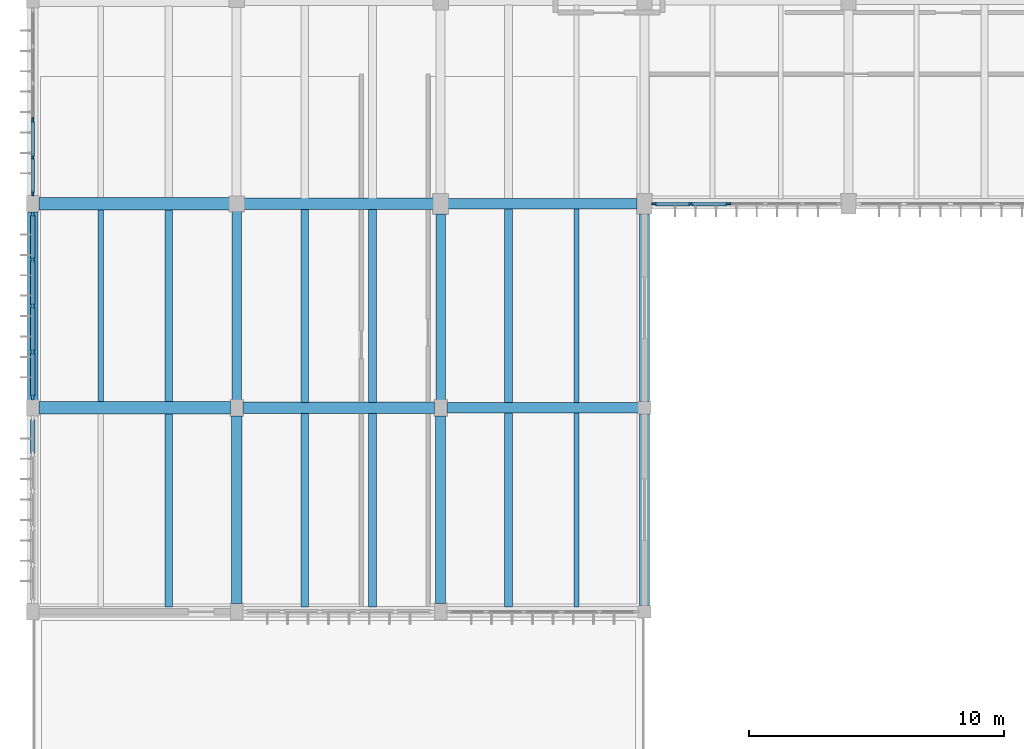
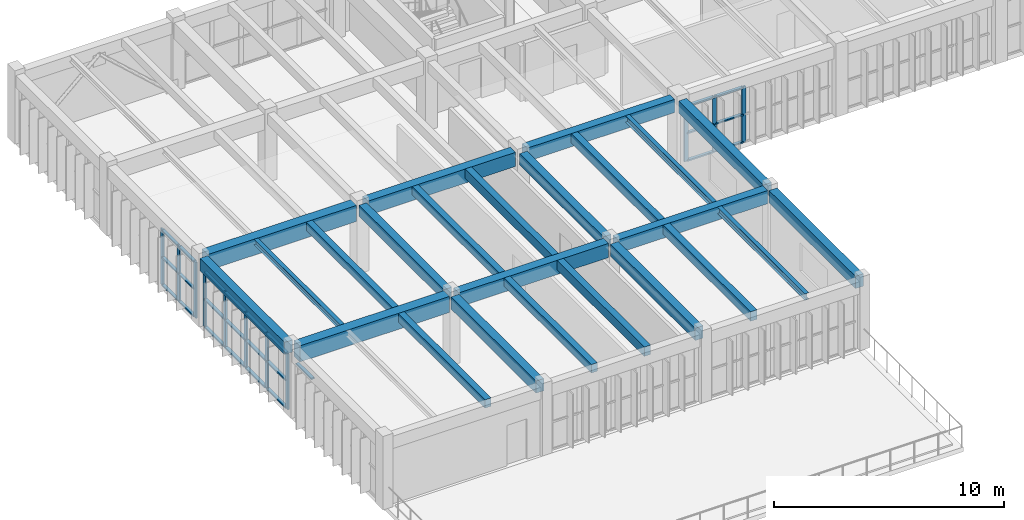
# One storey, part 3 of 31: 36 members, 24 beams, 4 elements without a shape of their own.
"""IFC4 building model written with IfcOpenShell, lengths in metres."""

from ifc_helpers import new_model, si_unit, direction, frame, origin, origin_2d, place, context, subcontext, project, spatial, rectangle, i_section, extrude, material, material_profile, profile_set, type_object, element, aggregate, save


model = new_model("IFC4")

# Units and contexts
model_context = context("Model", 3, precision=1e-05, world=origin(), true_north=direction((0.0, 1.0)))
body_context = subcontext(model_context, "Body", "Model", "MODEL_VIEW")
ifc_project = project(units=[si_unit("LENGTHUNIT", "METRE"), si_unit("AREAUNIT", "SQUARE_METRE"), si_unit("VOLUMEUNIT", "CUBIC_METRE"), si_unit("PLANEANGLEUNIT", "RADIAN"), si_unit("MASSUNIT", "GRAM", prefix="KILO")], contexts=[model_context])

# Site, building, storey
site_placement = place(None, origin())
site = spatial("IfcSite", under=ifc_project, at=site_placement, CompositionType="ELEMENT")
building_placement = place(site_placement, origin())
building = spatial("IfcBuilding", under=site, at=building_placement, Name="Tlaxcora Railside Police Headquarters", CompositionType="ELEMENT")
storey_placement = place(building_placement, frame((0.0, 0.0, 18.0)))
storey = spatial("IfcBuildingStorey", under=building, at=storey_placement, Name="L04", CompositionType="ELEMENT", Elevation=18.0)

# Curtain wall, members
ifc_material_1 = material(Name="Thermally broken low-E insulated glazing", Category="glass")
curtain_wall_type_1 = type_object("IfcCurtainWallType", Name="Unitised Curtain Wall Assembly CW-15", PredefinedType="NOTDEFINED", material=ifc_material_1)
curtain_wall_1_placement = place(storey_placement, origin())
curtain_wall_1 = element("IfcCurtainWall", 1, at=curtain_wall_1_placement, inside=storey, type_object=curtain_wall_type_1, Name="V5 L04 curtain wall 90", PredefinedType="NOTDEFINED")
ifc_material_2 = material(Name="Anodised aluminium framing", Category="aluminium")
ifc_material_profile_1 = material_profile(ifc_material_2, rectangle(XDim=0.074951171875, YDim=0.199951171875, at=origin_2d()), Name="AL75X200")
ifc_profile_set_1 = profile_set([ifc_material_profile_1], Name="Anodised aluminium framing")
member_type_1 = type_object("IfcMemberType", Name="Curtain Wall Mullion CW-58", PredefinedType="MULLION", material=ifc_profile_set_1)
member_1_placement = place(storey_placement, frame((29.58740234375, 76.800048828125, 0.0), z_axis=(0.0, 0.0, 1.0), x_axis=(0.0, 1.0, 0.0)))
member_1 = element("IfcMember", 2, at=member_1_placement, type_object=member_type_1, Name="CW mullion 1", PredefinedType="MULLION", context=body_context, shape_type="SweptSolid", body=[
    extrude(rectangle(XDim=0.074951171875, YDim=0.199951171875, at=origin_2d()), origin(), (0.0, 0.0, 1.0), 2.969970703125),
])
member_2_placement = place(storey_placement, frame((31.010009765625, 76.800048828125, 0.0), z_axis=(0.0, 0.0, 1.0), x_axis=(0.0, 1.0, 0.0)))
member_2 = element("IfcMember", 3, at=member_2_placement, type_object=member_type_1, Name="CW mullion 2", PredefinedType="MULLION", context=body_context, shape_type="SweptSolid", body=[
    extrude(rectangle(XDim=0.074951171875, YDim=0.199951171875, at=origin_2d()), origin(), (0.0, 0.0, 1.0), 2.969970703125),
])
member_3_placement = place(storey_placement, frame((32.469970703125, 76.800048828125, 0.0), z_axis=(0.0, 0.0, 1.0), x_axis=(0.0, 1.0, 0.0)))
member_3 = element("IfcMember", 4, at=member_3_placement, type_object=member_type_1, Name="CW mullion 3", PredefinedType="MULLION", context=body_context, shape_type="SweptSolid", body=[
    extrude(rectangle(XDim=0.074951171875, YDim=0.199951171875, at=origin_2d()), origin(), (0.0, 0.0, 1.0), 2.969970703125),
])

curtain_wall_2_placement = place(storey_placement, origin())
curtain_wall_2 = element("IfcCurtainWall", 5, at=curtain_wall_2_placement, inside=storey, type_object=curtain_wall_type_1, Name="V5 L04 curtain wall 102", PredefinedType="NOTDEFINED")
member_4_placement = place(storey_placement, frame((5.199951171875, 80.074951171875, 0.0), z_axis=(0.0, 0.0, 1.0), x_axis=(1.0, 0.0, 0.0)))
member_4 = element("IfcMember", 6, at=member_4_placement, type_object=member_type_1, Name="CW mullion 4", PredefinedType="MULLION", context=body_context, shape_type="SweptSolid", body=[
    extrude(rectangle(XDim=0.074951171875, YDim=0.199951171875, at=origin_2d()), origin(), (0.0, 0.0, 1.0), 2.969970703125),
])
member_5_placement = place(storey_placement, frame((5.199951171875, 78.625, 0.0), z_axis=(0.0, 0.0, 1.0), x_axis=(1.0, 0.0, 0.0)))
member_5 = element("IfcMember", 7, at=member_5_placement, type_object=member_type_1, Name="CW mullion 5", PredefinedType="MULLION", context=body_context, shape_type="SweptSolid", body=[
    extrude(rectangle(XDim=0.074951171875, YDim=0.199951171875, at=origin_2d()), origin(), (0.0, 0.0, 1.0), 2.969970703125),
])
member_6_placement = place(storey_placement, frame((5.199951171875, 77.21240234375, 0.0), z_axis=(0.0, 0.0, 1.0), x_axis=(1.0, 0.0, 0.0)))
member_6 = element("IfcMember", 8, at=member_6_placement, type_object=member_type_1, Name="CW mullion 6", PredefinedType="MULLION", context=body_context, shape_type="SweptSolid", body=[
    extrude(rectangle(XDim=0.074951171875, YDim=0.199951171875, at=origin_2d()), origin(), (0.0, 0.0, 1.0), 2.969970703125),
])

curtain_wall_type_2 = type_object("IfcCurtainWallType", Name="Unitised Curtain Wall Assembly CW-83", PredefinedType="NOTDEFINED", material=ifc_material_1)
curtain_wall_3_placement = place(storey_placement, origin())
curtain_wall_3 = element("IfcCurtainWall", 9, at=curtain_wall_3_placement, inside=storey, type_object=curtain_wall_type_2, Name="V5 L04 curtain wall 103", PredefinedType="NOTDEFINED")
ifc_material_profile_2 = material_profile(ifc_material_2, rectangle(XDim=0.080078125, YDim=0.2099609375, at=origin_2d()), Name="AL80X210")
ifc_profile_set_2 = profile_set([ifc_material_profile_2], Name="Anodised aluminium framing")
member_type_2 = type_object("IfcMemberType", Name="Curtain Wall Mullion CW-76", PredefinedType="MULLION", material=ifc_profile_set_2)
member_7_placement = place(storey_placement, frame((5.199951171875, 76.385009765625, 0.0), z_axis=(0.0, 0.0, 1.0), x_axis=(1.0, 0.0, 0.0)))
member_7 = element("IfcMember", 10, at=member_7_placement, type_object=member_type_2, Name="CW mullion 1", PredefinedType="MULLION", context=body_context, shape_type="SweptSolid", body=[
    extrude(rectangle(XDim=0.080078125, YDim=0.2099609375, at=origin_2d()), origin(), (0.0, 0.0, 1.0), 2.969970703125),
])
member_8_placement = place(storey_placement, frame((5.199951171875, 74.612548828125, 0.0), z_axis=(0.0, 0.0, 1.0), x_axis=(1.0, 0.0, 0.0)))
member_8 = element("IfcMember", 11, at=member_8_placement, type_object=member_type_2, Name="CW mullion 2", PredefinedType="MULLION", context=body_context, shape_type="SweptSolid", body=[
    extrude(rectangle(XDim=0.080078125, YDim=0.2099609375, at=origin_2d()), origin(), (0.0, 0.0, 1.0), 2.969970703125),
])
member_9_placement = place(storey_placement, frame((5.199951171875, 72.800048828125, 0.0), z_axis=(0.0, 0.0, 1.0), x_axis=(1.0, 0.0, 0.0)))
member_9 = element("IfcMember", 12, at=member_9_placement, type_object=member_type_2, Name="CW mullion 3", PredefinedType="MULLION", context=body_context, shape_type="SweptSolid", body=[
    extrude(rectangle(XDim=0.080078125, YDim=0.2099609375, at=origin_2d()), origin(), (0.0, 0.0, 1.0), 2.969970703125),
])
member_10_placement = place(storey_placement, frame((5.199951171875, 70.987548828125, 0.0), z_axis=(0.0, 0.0, 1.0), x_axis=(1.0, 0.0, 0.0)))
member_10 = element("IfcMember", 13, at=member_10_placement, type_object=member_type_2, Name="CW mullion 4", PredefinedType="MULLION", context=body_context, shape_type="SweptSolid", body=[
    extrude(rectangle(XDim=0.080078125, YDim=0.2099609375, at=origin_2d()), origin(), (0.0, 0.0, 1.0), 2.969970703125),
])
member_11_placement = place(storey_placement, frame((5.199951171875, 69.215087890625, 0.0), z_axis=(0.0, 0.0, 1.0), x_axis=(1.0, 0.0, 0.0)))
member_11 = element("IfcMember", 14, at=member_11_placement, type_object=member_type_2, Name="CW mullion 5", PredefinedType="MULLION", context=body_context, shape_type="SweptSolid", body=[
    extrude(rectangle(XDim=0.080078125, YDim=0.2099609375, at=origin_2d()), origin(), (0.0, 0.0, 1.0), 2.969970703125),
])

# Member
ifc_material_profile_3 = material_profile(ifc_material_2, rectangle(XDim=0.14990234375, YDim=0.074951171875, at=origin_2d()), Name="AL75X150")
ifc_profile_set_3 = profile_set([ifc_material_profile_3], Name="Anodised aluminium framing")
member_type_3 = type_object("IfcMemberType", Name="Curtain Wall Transom CW-28", PredefinedType="USERDEFINED", material=ifc_profile_set_3)
member_12_placement = place(storey_placement, frame((29.625, 76.800048828125, 0.03759765625), z_axis=(1.0, 0.0, 0.0), x_axis=(0.0, 1.0, 0.0)))
member_12 = element("IfcMember", 15, at=member_12_placement, type_object=member_type_3, Name="CW transom 1.1", ObjectType="TRANSOM", PredefinedType="USERDEFINED", context=body_context, shape_type="SweptSolid", body=[
    extrude(rectangle(XDim=0.14990234375, YDim=0.074951171875, at=origin_2d()), origin(), (0.0, 0.0, 1.0), 1.347412109375),
])

member_13_placement = place(storey_placement, frame((29.625, 76.800048828125, 1.4951171875), z_axis=(1.0, 0.0, 0.0), x_axis=(0.0, 1.0, 0.0)))
member_13 = element("IfcMember", 16, at=member_13_placement, type_object=member_type_3, Name="CW transom 1.2", ObjectType="TRANSOM", PredefinedType="USERDEFINED", context=body_context, shape_type="SweptSolid", body=[
    extrude(rectangle(XDim=0.14990234375, YDim=0.074951171875, at=origin_2d()), origin(), (0.0, 0.0, 1.0), 1.347412109375),
])

member_14_placement = place(storey_placement, frame((29.625, 76.800048828125, 2.9326171875), z_axis=(1.0, 0.0, 0.0), x_axis=(0.0, 1.0, 0.0)))
member_14 = element("IfcMember", 17, at=member_14_placement, type_object=member_type_3, Name="CW transom 1.3", ObjectType="TRANSOM", PredefinedType="USERDEFINED", context=body_context, shape_type="SweptSolid", body=[
    extrude(rectangle(XDim=0.14990234375, YDim=0.074951171875, at=origin_2d()), origin(), (0.0, 0.0, 1.0), 1.347412109375),
])

member_15_placement = place(storey_placement, frame((31.047607421875, 76.800048828125, 0.03759765625), z_axis=(1.0, 0.0, 0.0), x_axis=(0.0, 1.0, 0.0)))
member_15 = element("IfcMember", 18, at=member_15_placement, type_object=member_type_3, Name="CW transom 2.1", ObjectType="TRANSOM", PredefinedType="USERDEFINED", context=body_context, shape_type="SweptSolid", body=[
    extrude(rectangle(XDim=0.14990234375, YDim=0.074951171875, at=origin_2d()), origin(), (0.0, 0.0, 1.0), 1.385009765625),
])

member_16_placement = place(storey_placement, frame((31.047607421875, 76.800048828125, 1.4951171875), z_axis=(1.0, 0.0, 0.0), x_axis=(0.0, 1.0, 0.0)))
member_16 = element("IfcMember", 19, at=member_16_placement, type_object=member_type_3, Name="CW transom 2.2", ObjectType="TRANSOM", PredefinedType="USERDEFINED", context=body_context, shape_type="SweptSolid", body=[
    extrude(rectangle(XDim=0.14990234375, YDim=0.074951171875, at=origin_2d()), origin(), (0.0, 0.0, 1.0), 1.385009765625),
])

member_17_placement = place(storey_placement, frame((31.047607421875, 76.800048828125, 2.9326171875), z_axis=(1.0, 0.0, 0.0), x_axis=(0.0, 1.0, 0.0)))
member_17 = element("IfcMember", 20, at=member_17_placement, type_object=member_type_3, Name="CW transom 2.3", ObjectType="TRANSOM", PredefinedType="USERDEFINED", context=body_context, shape_type="SweptSolid", body=[
    extrude(rectangle(XDim=0.14990234375, YDim=0.074951171875, at=origin_2d()), origin(), (0.0, 0.0, 1.0), 1.385009765625),
])

aggregate(curtain_wall_1, [member_1, member_2, member_3, member_12, member_13, member_14, member_15, member_16, member_17])

member_18_placement = place(storey_placement, frame((5.199951171875, 80.03759765625, 0.03759765625), z_axis=(0.0, -1.0, 0.0), x_axis=(1.0, 0.0, 0.0)))
member_18 = element("IfcMember", 21, at=member_18_placement, type_object=member_type_3, Name="CW transom 4.1", ObjectType="TRANSOM", PredefinedType="USERDEFINED", context=body_context, shape_type="SweptSolid", body=[
    extrude(rectangle(XDim=0.14990234375, YDim=0.074951171875, at=origin_2d()), origin(), (0.0, 0.0, 1.0), 1.375),
])

member_19_placement = place(storey_placement, frame((5.199951171875, 80.03759765625, 1.4951171875), z_axis=(0.0, -1.0, 0.0), x_axis=(1.0, 0.0, 0.0)))
member_19 = element("IfcMember", 22, at=member_19_placement, type_object=member_type_3, Name="CW transom 4.2", ObjectType="TRANSOM", PredefinedType="USERDEFINED", context=body_context, shape_type="SweptSolid", body=[
    extrude(rectangle(XDim=0.14990234375, YDim=0.074951171875, at=origin_2d()), origin(), (0.0, 0.0, 1.0), 1.375),
])

member_20_placement = place(storey_placement, frame((5.199951171875, 80.03759765625, 2.9326171875), z_axis=(0.0, -1.0, 0.0), x_axis=(1.0, 0.0, 0.0)))
member_20 = element("IfcMember", 23, at=member_20_placement, type_object=member_type_3, Name="CW transom 4.3", ObjectType="TRANSOM", PredefinedType="USERDEFINED", context=body_context, shape_type="SweptSolid", body=[
    extrude(rectangle(XDim=0.14990234375, YDim=0.074951171875, at=origin_2d()), origin(), (0.0, 0.0, 1.0), 1.375),
])

member_21_placement = place(storey_placement, frame((5.199951171875, 78.58740234375, 0.03759765625), z_axis=(0.0, -1.0, 0.0), x_axis=(1.0, 0.0, 0.0)))
member_21 = element("IfcMember", 24, at=member_21_placement, type_object=member_type_3, Name="CW transom 5.1", ObjectType="TRANSOM", PredefinedType="USERDEFINED", context=body_context, shape_type="SweptSolid", body=[
    extrude(rectangle(XDim=0.14990234375, YDim=0.074951171875, at=origin_2d()), origin(), (0.0, 0.0, 1.0), 1.33740234375),
])

member_22_placement = place(storey_placement, frame((5.199951171875, 78.58740234375, 1.4951171875), z_axis=(0.0, -1.0, 0.0), x_axis=(1.0, 0.0, 0.0)))
member_22 = element("IfcMember", 25, at=member_22_placement, type_object=member_type_3, Name="CW transom 5.2", ObjectType="TRANSOM", PredefinedType="USERDEFINED", context=body_context, shape_type="SweptSolid", body=[
    extrude(rectangle(XDim=0.14990234375, YDim=0.074951171875, at=origin_2d()), origin(), (0.0, 0.0, 1.0), 1.33740234375),
])

member_23_placement = place(storey_placement, frame((5.199951171875, 78.58740234375, 2.9326171875), z_axis=(0.0, -1.0, 0.0), x_axis=(1.0, 0.0, 0.0)))
member_23 = element("IfcMember", 26, at=member_23_placement, type_object=member_type_3, Name="CW transom 5.3", ObjectType="TRANSOM", PredefinedType="USERDEFINED", context=body_context, shape_type="SweptSolid", body=[
    extrude(rectangle(XDim=0.14990234375, YDim=0.074951171875, at=origin_2d()), origin(), (0.0, 0.0, 1.0), 1.33740234375),
])

aggregate(curtain_wall_2, [member_4, member_5, member_6, member_18, member_19, member_20, member_21, member_22, member_23])

# Curtain wall, member
curtain_wall_type_3 = type_object("IfcCurtainWallType", Name="Unitised Curtain Wall Assembly CW-23", PredefinedType="NOTDEFINED", material=ifc_material_1)
curtain_wall_4_placement = place(storey_placement, origin())
curtain_wall_4 = element("IfcCurtainWall", 27, at=curtain_wall_4_placement, inside=storey, type_object=curtain_wall_type_3, Name="V5 L04 curtain wall 104", PredefinedType="NOTDEFINED")
ifc_material_profile_4 = material_profile(ifc_material_2, rectangle(XDim=0.1650390625, YDim=0.080078125, at=origin_2d()), Name="AL80X165")
ifc_profile_set_4 = profile_set([ifc_material_profile_4], Name="Anodised aluminium framing")
member_type_4 = type_object("IfcMemberType", Name="Curtain Wall Transom CW-62", PredefinedType="USERDEFINED", material=ifc_profile_set_4)
member_24_placement = place(storey_placement, frame((5.199951171875, 68.344970703125, 2.929931640625), z_axis=(0.0, -1.0, 0.0), x_axis=(1.0, 0.0, 0.0)))
member_24 = element("IfcMember", 28, at=member_24_placement, type_object=member_type_4, Name="CW transom 1.3", ObjectType="TRANSOM", PredefinedType="USERDEFINED", context=body_context, shape_type="SweptSolid", body=[
    extrude(rectangle(XDim=0.1650390625, YDim=0.080078125, at=origin_2d()), origin(), (0.0, 0.0, 1.0), 1.330078125),
])
aggregate(curtain_wall_4, [member_24])

# Member
ifc_material_profile_5 = material_profile(ifc_material_2, rectangle(XDim=0.159912109375, YDim=0.080078125, at=origin_2d()), Name="AL80X160")
ifc_profile_set_5 = profile_set([ifc_material_profile_5], Name="Anodised aluminium framing")
member_type_5 = type_object("IfcMemberType", Name="Curtain Wall Transom CW-82", PredefinedType="USERDEFINED", material=ifc_profile_set_5)
member_25_placement = place(storey_placement, frame((5.199951171875, 76.344970703125, 0.0400390625), z_axis=(0.0, -1.0, 0.0), x_axis=(1.0, 0.0, 0.0)))
member_25 = element("IfcMember", 29, at=member_25_placement, type_object=member_type_5, Name="CW transom 1.1", ObjectType="TRANSOM", PredefinedType="USERDEFINED", context=body_context, shape_type="SweptSolid", body=[
    extrude(rectangle(XDim=0.159912109375, YDim=0.080078125, at=origin_2d()), origin(), (0.0, 0.0, 1.0), 1.6923828125),
])

member_26_placement = place(storey_placement, frame((5.199951171875, 76.344970703125, 1.4951171875), z_axis=(0.0, -1.0, 0.0), x_axis=(1.0, 0.0, 0.0)))
member_26 = element("IfcMember", 30, at=member_26_placement, type_object=member_type_5, Name="CW transom 1.2", ObjectType="TRANSOM", PredefinedType="USERDEFINED", context=body_context, shape_type="SweptSolid", body=[
    extrude(rectangle(XDim=0.159912109375, YDim=0.080078125, at=origin_2d()), origin(), (0.0, 0.0, 1.0), 1.6923828125),
])

member_27_placement = place(storey_placement, frame((5.199951171875, 76.344970703125, 2.929931640625), z_axis=(0.0, -1.0, 0.0), x_axis=(1.0, 0.0, 0.0)))
member_27 = element("IfcMember", 31, at=member_27_placement, type_object=member_type_5, Name="CW transom 1.3", ObjectType="TRANSOM", PredefinedType="USERDEFINED", context=body_context, shape_type="SweptSolid", body=[
    extrude(rectangle(XDim=0.159912109375, YDim=0.080078125, at=origin_2d()), origin(), (0.0, 0.0, 1.0), 1.6923828125),
])

member_28_placement = place(storey_placement, frame((5.199951171875, 74.572509765625, 0.0400390625), z_axis=(0.0, -1.0, 0.0), x_axis=(1.0, 0.0, 0.0)))
member_28 = element("IfcMember", 32, at=member_28_placement, type_object=member_type_5, Name="CW transom 2.1", ObjectType="TRANSOM", PredefinedType="USERDEFINED", context=body_context, shape_type="SweptSolid", body=[
    extrude(rectangle(XDim=0.159912109375, YDim=0.080078125, at=origin_2d()), origin(), (0.0, 0.0, 1.0), 1.732421875),
])

member_29_placement = place(storey_placement, frame((5.199951171875, 74.572509765625, 1.4951171875), z_axis=(0.0, -1.0, 0.0), x_axis=(1.0, 0.0, 0.0)))
member_29 = element("IfcMember", 33, at=member_29_placement, type_object=member_type_5, Name="CW transom 2.2", ObjectType="TRANSOM", PredefinedType="USERDEFINED", context=body_context, shape_type="SweptSolid", body=[
    extrude(rectangle(XDim=0.159912109375, YDim=0.080078125, at=origin_2d()), origin(), (0.0, 0.0, 1.0), 1.732421875),
])

member_30_placement = place(storey_placement, frame((5.199951171875, 74.572509765625, 2.929931640625), z_axis=(0.0, -1.0, 0.0), x_axis=(1.0, 0.0, 0.0)))
member_30 = element("IfcMember", 34, at=member_30_placement, type_object=member_type_5, Name="CW transom 2.3", ObjectType="TRANSOM", PredefinedType="USERDEFINED", context=body_context, shape_type="SweptSolid", body=[
    extrude(rectangle(XDim=0.159912109375, YDim=0.080078125, at=origin_2d()), origin(), (0.0, 0.0, 1.0), 1.732421875),
])

member_31_placement = place(storey_placement, frame((5.199951171875, 72.760009765625, 0.0400390625), z_axis=(0.0, -1.0, 0.0), x_axis=(1.0, 0.0, 0.0)))
member_31 = element("IfcMember", 35, at=member_31_placement, type_object=member_type_5, Name="CW transom 3.1", ObjectType="TRANSOM", PredefinedType="USERDEFINED", context=body_context, shape_type="SweptSolid", body=[
    extrude(rectangle(XDim=0.159912109375, YDim=0.080078125, at=origin_2d()), origin(), (0.0, 0.0, 1.0), 1.732421875),
])

member_32_placement = place(storey_placement, frame((5.199951171875, 72.760009765625, 1.4951171875), z_axis=(0.0, -1.0, 0.0), x_axis=(1.0, 0.0, 0.0)))
member_32 = element("IfcMember", 36, at=member_32_placement, type_object=member_type_5, Name="CW transom 3.2", ObjectType="TRANSOM", PredefinedType="USERDEFINED", context=body_context, shape_type="SweptSolid", body=[
    extrude(rectangle(XDim=0.159912109375, YDim=0.080078125, at=origin_2d()), origin(), (0.0, 0.0, 1.0), 1.732421875),
])

member_33_placement = place(storey_placement, frame((5.199951171875, 72.760009765625, 2.929931640625), z_axis=(0.0, -1.0, 0.0), x_axis=(1.0, 0.0, 0.0)))
member_33 = element("IfcMember", 37, at=member_33_placement, type_object=member_type_5, Name="CW transom 3.3", ObjectType="TRANSOM", PredefinedType="USERDEFINED", context=body_context, shape_type="SweptSolid", body=[
    extrude(rectangle(XDim=0.159912109375, YDim=0.080078125, at=origin_2d()), origin(), (0.0, 0.0, 1.0), 1.732421875),
])

member_34_placement = place(storey_placement, frame((5.199951171875, 70.947509765625, 0.0400390625), z_axis=(0.0, -1.0, 0.0), x_axis=(1.0, 0.0, 0.0)))
member_34 = element("IfcMember", 38, at=member_34_placement, type_object=member_type_5, Name="CW transom 4.1", ObjectType="TRANSOM", PredefinedType="USERDEFINED", context=body_context, shape_type="SweptSolid", body=[
    extrude(rectangle(XDim=0.159912109375, YDim=0.080078125, at=origin_2d()), origin(), (0.0, 0.0, 1.0), 1.692626953125),
])

member_35_placement = place(storey_placement, frame((5.199951171875, 70.947509765625, 1.4951171875), z_axis=(0.0, -1.0, 0.0), x_axis=(1.0, 0.0, 0.0)))
member_35 = element("IfcMember", 39, at=member_35_placement, type_object=member_type_5, Name="CW transom 4.2", ObjectType="TRANSOM", PredefinedType="USERDEFINED", context=body_context, shape_type="SweptSolid", body=[
    extrude(rectangle(XDim=0.159912109375, YDim=0.080078125, at=origin_2d()), origin(), (0.0, 0.0, 1.0), 1.692626953125),
])

member_36_placement = place(storey_placement, frame((5.199951171875, 70.947509765625, 2.929931640625), z_axis=(0.0, -1.0, 0.0), x_axis=(1.0, 0.0, 0.0)))
member_36 = element("IfcMember", 40, at=member_36_placement, type_object=member_type_5, Name="CW transom 4.3", ObjectType="TRANSOM", PredefinedType="USERDEFINED", context=body_context, shape_type="SweptSolid", body=[
    extrude(rectangle(XDim=0.159912109375, YDim=0.080078125, at=origin_2d()), origin(), (0.0, 0.0, 1.0), 1.692626953125),
])

aggregate(curtain_wall_3, [member_7, member_8, member_9, member_10, member_11, member_25, member_26, member_27, member_28, member_29, member_30, member_31, member_32, member_33, member_34, member_35, member_36])

# Beams
ifc_material_3 = material(Name="Concrete C40/50", Category="concrete")
ifc_material_profile_6 = material_profile(ifc_material_3, rectangle(XDim=0.39990234375, YDim=0.64990234375, at=origin_2d()), Name="RC400X650")
ifc_profile_set_6 = profile_set([ifc_material_profile_6], Name="Concrete C40/50")
beam_type_1 = type_object("IfcBeamType", Name="Perimeter Spandrel Beam BM-46", PredefinedType="SPANDREL", material=ifc_profile_set_6)
beam_1_placement = place(storey_placement, frame((5.199951171875, 69.114990234375, 3.31494140625), z_axis=(0.0, 1.0, 0.0), x_axis=(-1.0, 0.0, 0.0)))
element("IfcBeam", 41, at=beam_1_placement, inside=storey, type_object=beam_type_1, Name="V5 L04 Y-girder X=5.2", PredefinedType="SPANDREL", context=body_context, shape_type="SweptSolid", body=[
    extrude(rectangle(XDim=0.39990234375, YDim=0.64990234375, at=origin_2d()), origin(), (0.0, 0.0, 1.0), 7.3701171875),
])
beam_2_placement = place(storey_placement, frame((29.199951171875, 61.0400390625, 3.31494140625), z_axis=(0.0, 1.0, 0.0), x_axis=(-1.0, 0.0, 0.0)))
element("IfcBeam", 42, at=beam_2_placement, inside=storey, type_object=beam_type_1, Name="V5 L04 Y-girder X=29.2", PredefinedType="SPANDREL", context=body_context, shape_type="SweptSolid", body=[
    extrude(rectangle(XDim=0.39990234375, YDim=0.64990234375, at=origin_2d()), origin(), (0.0, 0.0, 1.0), 7.52001953125),
])
beam_3_placement = place(storey_placement, frame((29.199951171875, 69.0400390625, 3.31494140625), z_axis=(0.0, 1.0, 0.0), x_axis=(-1.0, 0.0, 0.0)))
element("IfcBeam", 43, at=beam_3_placement, inside=storey, type_object=beam_type_1, Name="V5 L04 Y-girder X=29.2", PredefinedType="SPANDREL", context=body_context, shape_type="SweptSolid", body=[
    extrude(rectangle(XDim=0.39990234375, YDim=0.64990234375, at=origin_2d()), origin(), (0.0, 0.0, 1.0), 7.369873046875),
])
ifc_material_profile_7 = material_profile(ifc_material_3, rectangle(XDim=0.3798828125, YDim=0.60009765625, at=origin_2d()), Name="RC380X600")
ifc_profile_set_7 = profile_set([ifc_material_profile_7], Name="Concrete C40/50")
beam_type_2 = type_object("IfcBeamType", Name="Primary Frame Girder BM-22", PredefinedType="BEAM", material=ifc_profile_set_7)
beam_4_placement = place(storey_placement, frame((13.199951171875, 69.114990234375, 3.340087890625), z_axis=(0.0, 1.0, 0.0), x_axis=(-1.0, 0.0, 0.0)))
element("IfcBeam", 44, at=beam_4_placement, inside=storey, type_object=beam_type_2, Name="V5 L04 Y-girder X=13.2", PredefinedType="BEAM", context=body_context, shape_type="SweptSolid", body=[
    extrude(rectangle(XDim=0.3798828125, YDim=0.60009765625, at=origin_2d()), origin(), (0.0, 0.0, 1.0), 7.39501953125),
])
beam_5_placement = place(storey_placement, frame((21.199951171875, 69.114990234375, 3.340087890625), z_axis=(0.0, 1.0, 0.0), x_axis=(-1.0, 0.0, 0.0)))
element("IfcBeam", 45, at=beam_5_placement, inside=storey, type_object=beam_type_2, Name="V5 L04 Y-girder X=21.2", PredefinedType="BEAM", context=body_context, shape_type="SweptSolid", body=[
    extrude(rectangle(XDim=0.3798828125, YDim=0.60009765625, at=origin_2d()), origin(), (0.0, 0.0, 1.0), 7.294921875),
])
ifc_material_profile_8 = material_profile(ifc_material_3, rectangle(XDim=0.419921875, YDim=0.699951171875, at=origin_2d()), Name="RC420X700")
ifc_profile_set_8 = profile_set([ifc_material_profile_8], Name="Concrete C40/50")
beam_type_3 = type_object("IfcBeamType", Name="Primary Frame Girder BM-35", PredefinedType="BEAM", material=ifc_profile_set_8)
beam_6_placement = place(storey_placement, frame((21.43994140625, 68.800048828125, 3.2900390625), z_axis=(1.0, 0.0, 0.0), x_axis=(0.0, 1.0, 0.0)))
element("IfcBeam", 46, at=beam_6_placement, inside=storey, type_object=beam_type_3, Name="V5 L04 X-girder Y=68.8", PredefinedType="BEAM", context=body_context, shape_type="SweptSolid", body=[
    extrude(rectangle(XDim=0.419921875, YDim=0.699951171875, at=origin_2d()), origin(), (0.0, 0.0, 1.0), 7.52001953125),
])
beam_7_placement = place(storey_placement, frame((21.489990234375, 76.800048828125, 3.2900390625), z_axis=(1.0, 0.0, 0.0), x_axis=(0.0, 1.0, 0.0)))
element("IfcBeam", 47, at=beam_7_placement, inside=storey, type_object=beam_type_3, Name="V5 L04 X-girder Y=76.8", PredefinedType="BEAM", context=body_context, shape_type="SweptSolid", body=[
    extrude(rectangle(XDim=0.419921875, YDim=0.699951171875, at=origin_2d()), origin(), (0.0, 0.0, 1.0), 7.419921875),
])
ifc_material_profile_9 = material_profile(ifc_material_3, rectangle(XDim=0.39990234375, YDim=0.64990234375, at=origin_2d()), Name="RC400X650")
ifc_profile_set_9 = profile_set([ifc_material_profile_9], Name="Concrete C40/50")
beam_type_4 = type_object("IfcBeamType", Name="Primary Frame Girder BM-41", PredefinedType="BEAM", material=ifc_profile_set_9)
for number, where, z_axis, x_axis, name in (
    (48, (13.199951171875, 61.114990234375, 3.31494140625), (0.0, 1.0, 0.0), (-1.0, 0.0, 0.0), "V5 L04 Y-girder X=13.2"),
    (49, (21.199951171875, 61.114990234375, 3.31494140625), (0.0, 1.0, 0.0), (-1.0, 0.0, 0.0), "V5 L04 Y-girder X=21.2"),
):
    element("IfcBeam", number, at=place(storey_placement, frame(where, z_axis=z_axis, x_axis=x_axis)), inside=storey, type_object=beam_type_4, Name=name, PredefinedType="BEAM", context=body_context, shape_type="SweptSolid", body=[
        extrude(rectangle(XDim=0.39990234375, YDim=0.64990234375, at=origin_2d()), origin(), (0.0, 0.0, 1.0), 7.3701171875),
    ])
ifc_material_profile_10 = material_profile(ifc_material_3, rectangle(XDim=0.5, YDim=0.85009765625, at=origin_2d()), Name="RC500X850")
ifc_profile_set_10 = profile_set([ifc_material_profile_10], Name="Concrete C40/50")
beam_type_5 = type_object("IfcBeamType", Name="Primary Frame Girder BM-64", PredefinedType="BEAM", material=ifc_profile_set_10)
beam_8_placement = place(storey_placement, frame((5.43994140625, 68.800048828125, 3.215087890625), z_axis=(1.0, 0.0, 0.0), x_axis=(0.0, 1.0, 0.0)))
element("IfcBeam", 50, at=beam_8_placement, inside=storey, type_object=beam_type_5, Name="V5 L04 X-girder Y=68.8", PredefinedType="BEAM", context=body_context, shape_type="SweptSolid", body=[
    extrude(rectangle(XDim=0.5, YDim=0.85009765625, at=origin_2d()), origin(), (0.0, 0.0, 1.0), 7.52001953125),
])
beam_9_placement = place(storey_placement, frame((5.43994140625, 76.800048828125, 3.215087890625), z_axis=(1.0, 0.0, 0.0), x_axis=(0.0, 1.0, 0.0)))
element("IfcBeam", 51, at=beam_9_placement, inside=storey, type_object=beam_type_5, Name="V5 L04 X-girder Y=76.8", PredefinedType="BEAM", context=body_context, shape_type="SweptSolid", body=[
    extrude(rectangle(XDim=0.5, YDim=0.85009765625, at=origin_2d()), origin(), (0.0, 0.0, 1.0), 7.469970703125),
])
ifc_material_profile_11 = material_profile(ifc_material_3, rectangle(XDim=0.449951171875, YDim=0.75, at=origin_2d()), Name="RC450X750")
ifc_profile_set_11 = profile_set([ifc_material_profile_11], Name="Concrete C40/50")
beam_type_6 = type_object("IfcBeamType", Name="Primary Frame Girder BM-73", PredefinedType="BEAM", material=ifc_profile_set_11)
beam_10_placement = place(storey_placement, frame((13.43994140625, 68.800048828125, 3.264892578125), z_axis=(1.0, 0.0, 0.0), x_axis=(0.0, 1.0, 0.0)))
element("IfcBeam", 52, at=beam_10_placement, inside=storey, type_object=beam_type_6, Name="V5 L04 X-girder Y=68.8", PredefinedType="BEAM", context=body_context, shape_type="SweptSolid", body=[
    extrude(rectangle(XDim=0.449951171875, YDim=0.75, at=origin_2d()), origin(), (0.0, 0.0, 1.0), 7.52001953125),
])
beam_11_placement = place(storey_placement, frame((13.489990234375, 76.800048828125, 3.264892578125), z_axis=(1.0, 0.0, 0.0), x_axis=(0.0, 1.0, 0.0)))
element("IfcBeam", 53, at=beam_11_placement, inside=storey, type_object=beam_type_6, Name="V5 L04 X-girder Y=76.8", PredefinedType="BEAM", context=body_context, shape_type="SweptSolid", body=[
    extrude(rectangle(XDim=0.449951171875, YDim=0.75, at=origin_2d()), origin(), (0.0, 0.0, 1.0), 7.419921875),
])
ifc_material_4 = material(Name="Concrete C35/45", Category="concrete")
ifc_material_profile_12 = material_profile(ifc_material_4, rectangle(XDim=0.300048828125, YDim=0.449951171875, at=origin_2d()), Name="RC300X450")
ifc_profile_set_12 = profile_set([ifc_material_profile_12], Name="Concrete C35/45")
beam_type_7 = type_object("IfcBeamType", Name="Secondary Floor Joist BM-27", PredefinedType="JOIST", material=ifc_profile_set_12)
beam_12_placement = place(storey_placement, frame((10.533203125, 60.991943359375, 3.4150390625), z_axis=(0.0, 1.0, 0.0), x_axis=(-1.0, 0.0, 0.0)))
element("IfcBeam", 54, at=beam_12_placement, inside=storey, type_object=beam_type_7, Name="V5 L04 floor joist X=10.53", PredefinedType="JOIST", context=body_context, shape_type="SweptSolid", body=[
    extrude(rectangle(XDim=0.300048828125, YDim=0.449951171875, at=origin_2d()), origin(), (0.0, 0.0, 1.0), 7.566162109375),
])
beam_13_placement = place(storey_placement, frame((15.86669921875, 60.991943359375, 3.4150390625), z_axis=(0.0, 1.0, 0.0), x_axis=(-1.0, 0.0, 0.0)))
element("IfcBeam", 55, at=beam_13_placement, inside=storey, type_object=beam_type_7, Name="V5 L04 floor joist X=15.87", PredefinedType="JOIST", context=body_context, shape_type="SweptSolid", body=[
    extrude(rectangle(XDim=0.300048828125, YDim=0.449951171875, at=origin_2d()), origin(), (0.0, 0.0, 1.0), 7.591064453125),
])
beam_14_placement = place(storey_placement, frame((10.533203125, 69.0419921875, 3.4150390625), z_axis=(0.0, 1.0, 0.0), x_axis=(-1.0, 0.0, 0.0)))
element("IfcBeam", 56, at=beam_14_placement, inside=storey, type_object=beam_type_7, Name="V5 L04 floor joist X=10.53", PredefinedType="JOIST", context=body_context, shape_type="SweptSolid", body=[
    extrude(rectangle(XDim=0.300048828125, YDim=0.449951171875, at=origin_2d()), origin(), (0.0, 0.0, 1.0), 7.51611328125),
])
beam_15_placement = place(storey_placement, frame((15.86669921875, 69.01708984375, 3.4150390625), z_axis=(0.0, 1.0, 0.0), x_axis=(-1.0, 0.0, 0.0)))
element("IfcBeam", 57, at=beam_15_placement, inside=storey, type_object=beam_type_7, Name="V5 L04 floor joist X=15.87", PredefinedType="JOIST", context=body_context, shape_type="SweptSolid", body=[
    extrude(rectangle(XDim=0.300048828125, YDim=0.449951171875, at=origin_2d()), origin(), (0.0, 0.0, 1.0), 7.56591796875),
])
ifc_material_5 = material(Name="Steel ASTM A992 Grade 50", Category="steel")
ifc_material_profile_13 = material_profile(ifc_material_5, i_section(OverallWidth=0.2041015625, OverallDepth=0.35009765625, WebThickness=0.008544921875, FlangeThickness=0.01513671875, at=origin_2d()), Name="W14X48")
ifc_profile_set_13 = profile_set([ifc_material_profile_13], Name="Steel ASTM A992 Grade 50")
beam_type_8 = type_object("IfcBeamType", Name="Secondary Floor Joist BM-65", PredefinedType="JOIST", material=ifc_profile_set_13)
beam_16_placement = place(storey_placement, frame((26.533203125, 60.991943359375, 3.465087890625), z_axis=(0.0, 1.0, 0.0), x_axis=(-1.0, 0.0, 0.0)))
element("IfcBeam", 58, at=beam_16_placement, inside=storey, type_object=beam_type_8, Name="V5 L04 floor joist X=26.53", PredefinedType="JOIST", context=body_context, shape_type="SweptSolid", body=[
    extrude(i_section(OverallWidth=0.2041015625, OverallDepth=0.35009765625, WebThickness=0.008544921875, FlangeThickness=0.01513671875, at=origin_2d()), origin(), (0.0, 0.0, 1.0), 7.60595703125),
])
beam_17_placement = place(storey_placement, frame((26.533203125, 69.001953125, 3.465087890625), z_axis=(0.0, 1.0, 0.0), x_axis=(-1.0, 0.0, 0.0)))
element("IfcBeam", 59, at=beam_17_placement, inside=storey, type_object=beam_type_8, Name="V5 L04 floor joist X=26.53", PredefinedType="JOIST", context=body_context, shape_type="SweptSolid", body=[
    extrude(i_section(OverallWidth=0.2041015625, OverallDepth=0.35009765625, WebThickness=0.008544921875, FlangeThickness=0.01513671875, at=origin_2d()), origin(), (0.0, 0.0, 1.0), 7.595947265625),
])
ifc_material_profile_14 = material_profile(ifc_material_4, rectangle(XDim=0.320068359375, YDim=0.5, at=origin_2d()), Name="RC320X500")
ifc_profile_set_14 = profile_set([ifc_material_profile_14], Name="Concrete C35/45")
beam_type_9 = type_object("IfcBeamType", Name="Secondary Floor Joist BM-88", PredefinedType="JOIST", material=ifc_profile_set_14)
beam_18_placement = place(storey_placement, frame((18.533203125, 60.991943359375, 3.389892578125), z_axis=(0.0, 1.0, 0.0), x_axis=(-1.0, 0.0, 0.0)))
element("IfcBeam", 60, at=beam_18_placement, inside=storey, type_object=beam_type_9, Name="V5 L04 floor joist X=18.53", PredefinedType="JOIST", context=body_context, shape_type="SweptSolid", body=[
    extrude(rectangle(XDim=0.320068359375, YDim=0.5, at=origin_2d()), origin(), (0.0, 0.0, 1.0), 7.591064453125),
])
beam_19_placement = place(storey_placement, frame((23.86669921875, 60.991943359375, 3.389892578125), z_axis=(0.0, 1.0, 0.0), x_axis=(-1.0, 0.0, 0.0)))
element("IfcBeam", 61, at=beam_19_placement, inside=storey, type_object=beam_type_9, Name="V5 L04 floor joist X=23.87", PredefinedType="JOIST", context=body_context, shape_type="SweptSolid", body=[
    extrude(rectangle(XDim=0.320068359375, YDim=0.5, at=origin_2d()), origin(), (0.0, 0.0, 1.0), 7.60595703125),
])
beam_20_placement = place(storey_placement, frame((18.533203125, 69.01708984375, 3.389892578125), z_axis=(0.0, 1.0, 0.0), x_axis=(-1.0, 0.0, 0.0)))
element("IfcBeam", 62, at=beam_20_placement, inside=storey, type_object=beam_type_9, Name="V5 L04 floor joist X=18.53", PredefinedType="JOIST", context=body_context, shape_type="SweptSolid", body=[
    extrude(rectangle(XDim=0.320068359375, YDim=0.5, at=origin_2d()), origin(), (0.0, 0.0, 1.0), 7.56591796875),
])
beam_21_placement = place(storey_placement, frame((23.86669921875, 69.001953125, 3.389892578125), z_axis=(0.0, 1.0, 0.0), x_axis=(-1.0, 0.0, 0.0)))
element("IfcBeam", 63, at=beam_21_placement, inside=storey, type_object=beam_type_9, Name="V5 L04 floor joist X=23.87", PredefinedType="JOIST", context=body_context, shape_type="SweptSolid", body=[
    extrude(rectangle(XDim=0.320068359375, YDim=0.5, at=origin_2d()), origin(), (0.0, 0.0, 1.0), 7.595947265625),
])
ifc_material_profile_15 = material_profile(ifc_material_5, i_section(OverallWidth=0.202880859375, OverallDepth=0.302978515625, WebThickness=0.007568359375, FlangeThickness=0.01318359375, at=origin_2d()), Name="W12X40")
ifc_profile_set_15 = profile_set([ifc_material_profile_15], Name="Steel ASTM A992 Grade 50")
beam_type_10 = type_object("IfcBeamType", Name="Secondary Floor Joist BM-96", PredefinedType="JOIST", material=ifc_profile_set_15)
beam_22_placement = place(storey_placement, frame((7.86669921875, 69.0419921875, 3.488525390625), z_axis=(0.0, 1.0, 0.0), x_axis=(-1.0, 0.0, 0.0)))
element("IfcBeam", 64, at=beam_22_placement, inside=storey, type_object=beam_type_10, Name="V5 L04 floor joist X=7.87", PredefinedType="JOIST", context=body_context, shape_type="SweptSolid", body=[
    extrude(i_section(OverallWidth=0.202880859375, OverallDepth=0.302978515625, WebThickness=0.007568359375, FlangeThickness=0.01318359375, at=origin_2d()), origin(), (0.0, 0.0, 1.0), 7.51611328125),
])

save(model, "model.ifc")
